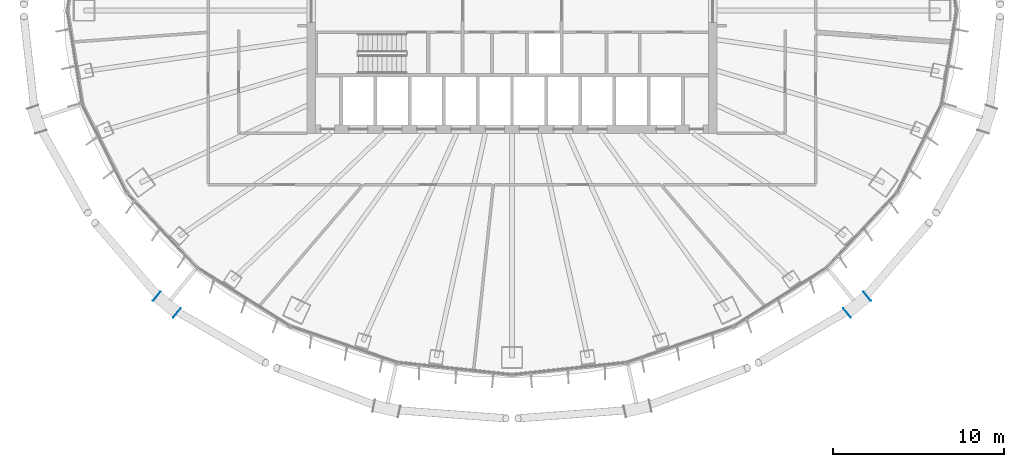
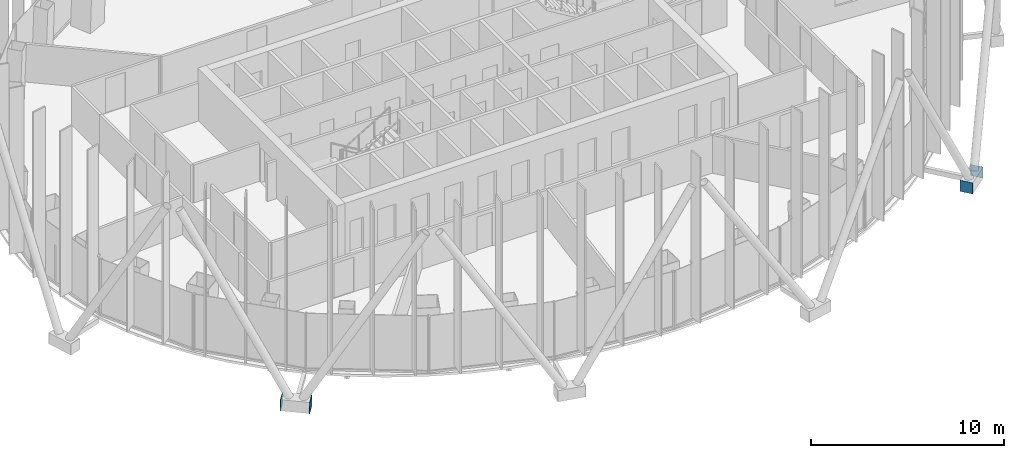
# One storey, part 11 of 19: 4 discrete accessories.
"""IFC4 building model written with IfcOpenShell, lengths in metres."""

from ifc_helpers import new_model, si_unit, direction, frame, origin, origin_2d, place, context, subcontext, project, spatial, rectangle, extrude, material, layer, layer_set, type_object, element, save


model = new_model("IFC4")

# Units and contexts
model_context = context("Model", 3, precision=1e-05, world=origin(), true_north=direction((0.0, 1.0)))
body_context = subcontext(model_context, "Body", "Model", "MODEL_VIEW")
ifc_project = project(units=[si_unit("LENGTHUNIT", "METRE"), si_unit("AREAUNIT", "SQUARE_METRE"), si_unit("VOLUMEUNIT", "CUBIC_METRE"), si_unit("PLANEANGLEUNIT", "RADIAN"), si_unit("MASSUNIT", "GRAM", prefix="KILO")], contexts=[model_context])

# Site, building, storey
site_placement = place(None, origin())
site = spatial("IfcSite", under=ifc_project, at=site_placement, CompositionType="ELEMENT")
building_placement = place(site_placement, origin())
building = spatial("IfcBuilding", under=site, at=building_placement, Name="Siaravel Broadcast Tower", CompositionType="ELEMENT")
storey_placement = place(building_placement, frame((0.0, 0.0, 97.10009765625)))
storey = spatial("IfcBuildingStorey", under=building, at=storey_placement, Name="L22", CompositionType="ELEMENT", Elevation=97.10009765625)

# Discrete accessories
ifc_material = material(Name="Steel S355", Category="steel")
ifc_layer = layer(ifc_material, 0.02001953125)
ifc_layer_set = layer_set([ifc_layer], Name="Steel S355")
discrete_accessory_type = type_object("IfcDiscreteAccessoryType", Name="Steel end plate 20 mm", PredefinedType="USERDEFINED", material=ifc_layer_set)
for number, where, z_axis, x_axis, name in (
    (1, (-19.625, -17.70458984375, -0.55029296875), (0.0, 0.0, 1.0), (0.773604694, -0.633668508, 0.0), "End plate R10 station 45A"),
    (2, (-20.806396484375, -16.737060546875, -0.55029296875), (0.0, 0.0, 1.0), (0.773604694, -0.633668508, 0.0), "End plate R10 station 45B"),
    (3, (20.806396484375, -16.737060546875, -0.55029296875), (0.0, 0.0, 1.0), (0.773604694, 0.633668508, 0.0), "End plate R10 station 63A"),
    (4, (19.625, -17.70458984375, -0.55029296875), (0.0, 0.0, 1.0), (0.773604694, 0.633668508, 0.0), "End plate R10 station 63B"),
):
    element("IfcDiscreteAccessory", number, at=place(storey_placement, frame(where, z_axis=z_axis, x_axis=x_axis)), inside=storey, type_object=discrete_accessory_type, Name=name, ObjectType="END PLATE", PredefinedType="USERDEFINED", context=body_context, shape_type="SweptSolid", body=[
        extrude(rectangle(XDim=0.02001953125, YDim=0.699951171875, at=origin_2d()), origin(), (0.0, 0.0, 1.0), 0.699951171875),
    ])

save(model, "model.ifc")
